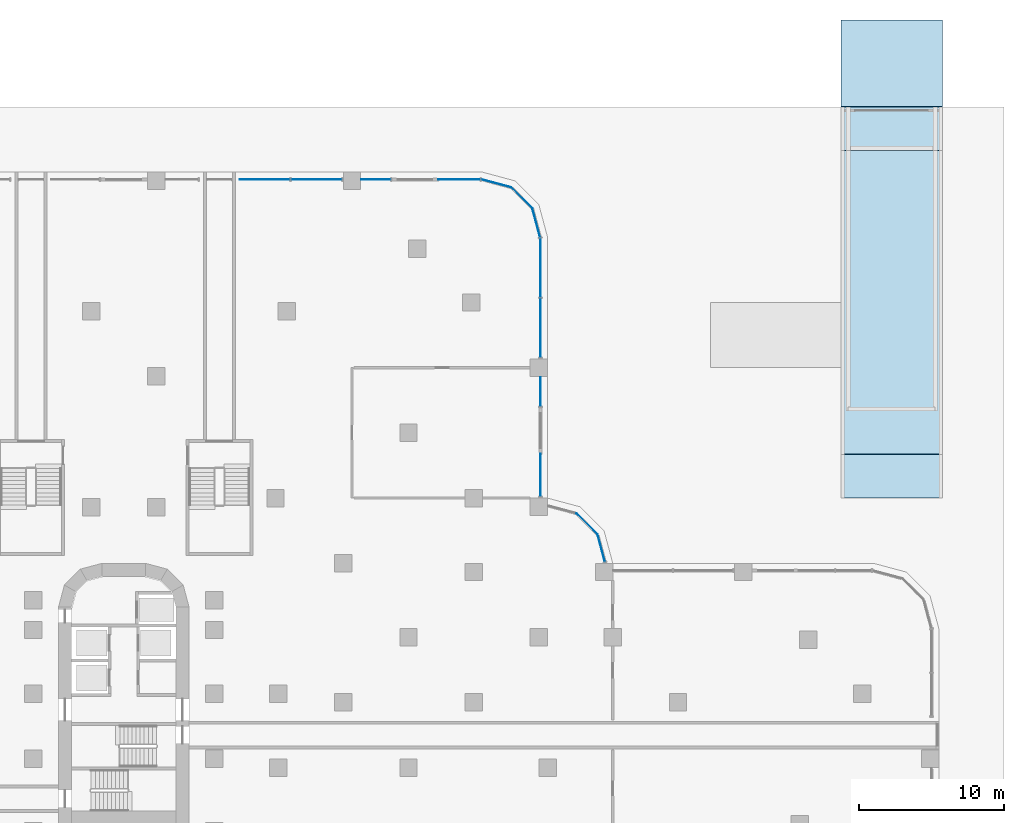
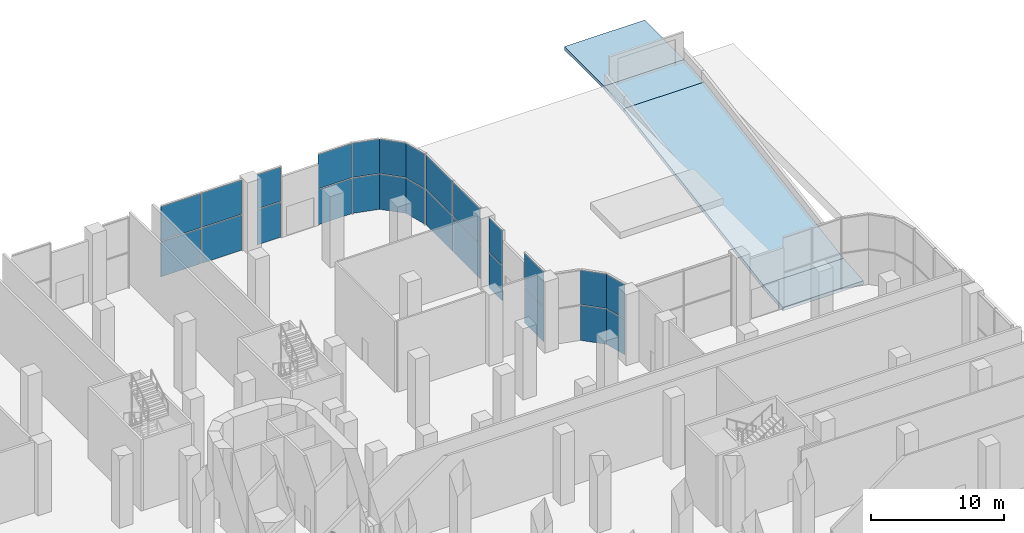
# One storey, part 19 of 34: 26 plates, 4 slabs, 7 elements without a shape of their own.
"""IFC4 building model written with IfcOpenShell, lengths in metres."""

import ifcopenshell
import ifcopenshell.guid

model = None  # the IFC model being written
_history = None  # IfcOwnerHistory: only IFC2X3 demands one
_inside = {}  # id of a spatial element -> (the spatial element, [elements in it])
_under = {}  # id of a project, library or spatial element -> (it, [spatial elements below it])
_declared = {}  # id of a project -> (the project, [libraries it declares])
_typed = {}  # id of a type object -> (the type object, [elements of that type])
_made_of = {}  # id of a material, layer set ... -> (it, [elements and type objects made of it])


def new_model(schema):
    """Start an empty IFC model of exactly this schema.

    Asked for "IFC4X3", IfcOpenShell would pick the latest addendum, in which some entities
    have other attributes; the version numbers below select the first issue.
    IFC2X3 requires an IfcOwnerHistory on every rooted entity: one is made here for all.
    """
    global model, _history
    if schema == "IFC4X3":
        model = ifcopenshell.file(schema_version=(4, 3, 0, 0))
    else:
        model = ifcopenshell.file(schema=schema)
    _inside.clear()
    _under.clear()
    _declared.clear()
    _typed.clear()
    _made_of.clear()
    _history = None
    if model.schema == "IFC2X3":
        org = make("IfcOrganization", Name="unknown")
        user = make(
            "IfcPersonAndOrganization",
            ThePerson=make("IfcPerson", FamilyName="unknown"),
            TheOrganization=org,
        )
        app = make(
            "IfcApplication",
            ApplicationDeveloper=org,
            Version="unknown",
            ApplicationFullName="unknown",
            ApplicationIdentifier="unknown",
        )
        _history = make(
            "IfcOwnerHistory",
            OwningUser=user,
            OwningApplication=app,
            ChangeAction="ADDED",
            CreationDate=0,
        )
    return model


def make(cls, **values):
    """One entity of the class cls with the attributes given. An attribute that is None is left unset."""
    return model.create_entity(
        cls, **{name: value for name, value in values.items() if value is not None}
    )


def rooted(cls, **values):
    """An entity with a GlobalId (a new one), such as an element, a storey or a relation."""
    return make(cls, GlobalId=ifcopenshell.guid.new(), OwnerHistory=_history, **values)


def si_unit(unit_type, name, prefix=None):
    """IfcSIUnit, for example si_unit("LENGTHUNIT", "METRE", prefix="MILLI")."""
    return make("IfcSIUnit", UnitType=unit_type, Prefix=prefix, Name=name)


def assignment(units):
    """IfcUnitAssignment: the units of a project."""
    return None if units is None else make("IfcUnitAssignment", Units=units)


def point(xyz):
    """IfcCartesianPoint."""
    return None if xyz is None else make("IfcCartesianPoint", Coordinates=xyz)


def direction(xyz):
    """IfcDirection."""
    return None if xyz is None else make("IfcDirection", DirectionRatios=xyz)


def frame(location, z_axis=None, x_axis=None):
    """IfcAxis2Placement3D, a coordinate frame: its origin and axes. An axis left out is left unset."""
    return make(
        "IfcAxis2Placement3D",
        Location=point(location),
        Axis=direction(z_axis),
        RefDirection=direction(x_axis),
    )


def origin():
    """The frame at (0, 0, 0) with its axes left unset."""
    return frame((0.0, 0.0, 0.0))


def place(relative_to, where):
    """IfcLocalPlacement: puts the frame where relative to a parent placement (None: the world)."""
    return make(
        "IfcLocalPlacement", PlacementRelTo=relative_to, RelativePlacement=where
    )


def context(
    kind, dimensions, precision=None, world=None, true_north=None, identifier=None
):
    """IfcGeometricRepresentationContext, for example the 3D "Model" context."""
    return make(
        "IfcGeometricRepresentationContext",
        ContextIdentifier=identifier,
        ContextType=kind,
        CoordinateSpaceDimension=dimensions,
        Precision=precision,
        WorldCoordinateSystem=world,
        TrueNorth=true_north,
    )


def subcontext(parent, identifier, kind, view, scale=None):
    """IfcGeometricRepresentationSubContext, for example "Body" below "Model"."""
    return make(
        "IfcGeometricRepresentationSubContext",
        ContextIdentifier=identifier,
        ContextType=kind,
        ParentContext=parent,
        TargetScale=scale,
        TargetView=view,
    )


def project(units=None, contexts=None):
    """IfcProject with its units and contexts."""
    return rooted(
        "IfcProject",
        Name="project",
        RepresentationContexts=contexts,
        UnitsInContext=assignment(units),
    )


def spatial(cls, under=None, at=None, **own):
    """A site, building, storey or space (cls), placed at a placement, below another one or the project."""
    s = rooted(cls, ObjectPlacement=at, **own)
    if under is not None:
        _under.setdefault(under.id(), (under, []))[1].append(s)
    return s


def polyline(points):
    """IfcPolyline through the points."""
    return make("IfcPolyline", Points=[point(p) for p in points])


def outline(outer, holes=None, kind="AREA"):
    """IfcArbitraryClosedProfileDef: a profile drawn as a closed curve; with holes, ...WithVoids."""
    if holes is None:
        return make("IfcArbitraryClosedProfileDef", ProfileType=kind, OuterCurve=outer)
    return make(
        "IfcArbitraryProfileDefWithVoids",
        ProfileType=kind,
        OuterCurve=outer,
        InnerCurves=holes,
    )


def extrude(swept, where, along, depth):
    """IfcExtrudedAreaSolid: the profile swept, set in the frame where, extruded along a direction by depth."""
    return make(
        "IfcExtrudedAreaSolid",
        SweptArea=swept,
        Position=where,
        ExtrudedDirection=direction(along),
        Depth=depth,
    )


def shape(context_of_items, identifier, shape_type, items):
    """IfcShapeRepresentation: the items that make up one representation, for example the "Body"."""
    return make(
        "IfcShapeRepresentation",
        ContextOfItems=context_of_items,
        RepresentationIdentifier=identifier,
        RepresentationType=shape_type,
        Items=items,
    )


def source(mapping_origin, context_of_items, identifier, shape_type, items):
    """IfcRepresentationMap: a shape defined once, which mapped items show again and again."""
    return make(
        "IfcRepresentationMap",
        MappingOrigin=mapping_origin,
        MappedRepresentation=shape(context_of_items, identifier, shape_type, items),
    )


def transform(
    local_origin,
    x_axis=None,
    y_axis=None,
    z_axis=None,
    scale=None,
    scale2=None,
    scale3=None,
    uniform=True,
):
    """IfcCartesianTransformationOperator3D, or its non-uniform kind. x_axis, y_axis, z_axis: its Axis1, 2, 3."""
    if uniform:
        return make(
            "IfcCartesianTransformationOperator3D",
            Axis1=direction(x_axis),
            Axis2=direction(y_axis),
            LocalOrigin=point(local_origin),
            Scale=scale,
            Axis3=direction(z_axis),
        )
    return make(
        "IfcCartesianTransformationOperator3DnonUniform",
        Axis1=direction(x_axis),
        Axis2=direction(y_axis),
        LocalOrigin=point(local_origin),
        Scale=scale,
        Axis3=direction(z_axis),
        Scale2=scale2,
        Scale3=scale3,
    )


def mapped(mapping_source, mapping_target):
    """IfcMappedItem: shows the shape of a source again, moved by a transform."""
    return make(
        "IfcMappedItem", MappingSource=mapping_source, MappingTarget=mapping_target
    )


def material(Name=None, Category=None):
    """IfcMaterial."""
    return make("IfcMaterial", Name=Name, Category=Category)


def layer(
    of_material, thickness, ventilated=None, Name=None, Category=None, Priority=None
):
    """IfcMaterialLayer: one layer of a wall or slab, of a material (None: an air gap)."""
    return make(
        "IfcMaterialLayer",
        Material=of_material,
        LayerThickness=thickness,
        IsVentilated=ventilated,
        Name=Name,
        Category=Category,
        Priority=Priority,
    )


def layer_set(layers, Name=None):
    """IfcMaterialLayerSet."""
    return make("IfcMaterialLayerSet", MaterialLayers=layers, LayerSetName=Name)


def made_of(thing, what):
    """Note that an element or type object is made of a material, layer set ...; save() writes the relation."""
    if what is not None:
        _made_of.setdefault(what.id(), (what, []))[1].append(thing)
    return thing


def type_object(cls, material=None, **own):
    """A type object (cls), such as IfcWallType, which elements share."""
    return made_of(rooted(cls, **own), material)


def element(
    cls,
    number,
    at=None,
    inside=None,
    cuts=None,
    type_object=None,
    material=None,
    context=None,
    identifier="Body",
    shape_type=None,
    held_by="IfcProductDefinitionShape",
    body=None,
    shapes=None,
    **own,
):
    """One element of the class cls, such as IfcWall. Its Tag is "e" and its number.

    at: its placement. inside: the storey or other place that contains it. cuts: it is an
    opening in that element (IfcRelVoidsElement). A single representation is given by context,
    identifier, shape_type and body (its items); several are given by shapes. held_by: the class
    of the entity that holds the representations. save() writes the other relations.
    """
    e = rooted(cls, Tag="e%d" % number, ObjectPlacement=at, **own)
    if body is not None:
        shapes = [shape(context, identifier, shape_type, body)]
    if shapes is not None:
        e.Representation = make(held_by, Representations=shapes)
    if inside is not None:
        _inside.setdefault(inside.id(), (inside, []))[1].append(e)
    if cuts is not None:
        rooted(
            "IfcRelVoidsElement", RelatingBuildingElement=cuts, RelatedOpeningElement=e
        )
    if type_object is not None:
        _typed.setdefault(type_object.id(), (type_object, []))[1].append(e)
    return made_of(e, material)


def aggregate(whole, parts):
    """IfcRelAggregates: a whole, such as a stair, and the parts it consists of."""
    return rooted("IfcRelAggregates", RelatingObject=whole, RelatedObjects=parts)


def save(model, path):
    """Write the relations noted so far, then the file.

    IfcRelAggregates (storeys below a building ...), IfcRelContainedInSpatialStructure (elements
    in a storey), IfcRelDefinesByType, IfcRelAssociatesMaterial and IfcRelDeclares: one each for
    every whole, place, type object, material and project.
    """
    for whole, parts in _under.values():
        aggregate(whole, parts)
    for where, things in _inside.values():
        rooted(
            "IfcRelContainedInSpatialStructure",
            RelatedElements=things,
            RelatingStructure=where,
        )
    for kind, things in _typed.values():
        rooted("IfcRelDefinesByType", RelatedObjects=things, RelatingType=kind)
    for what, things in _made_of.values():
        rooted("IfcRelAssociatesMaterial", RelatedObjects=things, RelatingMaterial=what)
    for by, libraries in _declared.values():
        rooted("IfcRelDeclares", RelatingContext=by, RelatedDefinitions=libraries)
    model.write(path)


model = new_model("IFC4")

# Units and contexts
model_context = context("Model", 3, precision=1e-05, world=origin(), true_north=direction((0.0, 1.0)))
body_context = subcontext(model_context, "Body", "Model", "MODEL_VIEW")
ifc_project = project(units=[si_unit("LENGTHUNIT", "METRE"), si_unit("AREAUNIT", "SQUARE_METRE"), si_unit("VOLUMEUNIT", "CUBIC_METRE"), si_unit("PLANEANGLEUNIT", "RADIAN"), si_unit("MASSUNIT", "GRAM", prefix="KILO")], contexts=[model_context])

# Site, building, storey
site_placement = place(None, origin())
site = spatial("IfcSite", under=ifc_project, at=site_placement, CompositionType="ELEMENT")
building_placement = place(site_placement, origin())
building = spatial("IfcBuilding", under=site, at=building_placement, Name="Zarbagh Exchange Tower", CompositionType="ELEMENT")
storey_placement = place(building_placement, origin())
storey = spatial("IfcBuildingStorey", under=building, at=storey_placement, Name="L00", CompositionType="ELEMENT", Elevation=0.0)

# Slabs
ifc_material_1 = material(Name="Concrete C40/50", Category="concrete")
ifc_layer_1 = layer(ifc_material_1, 0.300048828125)
ifc_layer_set_1 = layer_set([ifc_layer_1], Name="Vehicle apron slab 300 C40/50")
slab_type_1 = type_object("IfcSlabType", Name="Vehicle apron slab 300 C40/50", PredefinedType="USERDEFINED", material=ifc_layer_set_1)
slab_1_placement = place(storey_placement, frame((0.0, 0.0, -0.300048828125)))
element("IfcSlab", 1, at=slab_1_placement, inside=storey, type_object=slab_type_1, Name="Vehicle apron at the ramp gate", ObjectType="PAVING", PredefinedType="USERDEFINED", context=body_context, shape_type="SweptSolid", body=[
    extrude(outline(polyline([(49.5, 60.75), (56.5, 60.75), (56.5, 66.75), (49.5, 66.75), (49.5, 60.75)])), origin(), (0.0, 0.0, 1.0), 0.300048828125),
])
ifc_layer_2 = layer(ifc_material_1, 0.35009765625)
ifc_layer_set_2 = layer_set([ifc_layer_2], Name="Vehicle ramp slab 350 C40/50")
slab_type_2 = type_object("IfcSlabType", Name="Vehicle ramp slab 350 C40/50", PredefinedType="USERDEFINED", material=ifc_layer_set_2)
slab_2_placement = place(storey_placement, frame((49.5, 57.75, -0.25), z_axis=(0.0, -0.083045479854, 0.996545758245), x_axis=(1.0, 0.0, 0.0)))
element("IfcSlab", 2, at=slab_2_placement, inside=storey, type_object=slab_type_2, Name="Vehicle ramp R1 part 1", ObjectType="Vehicle ramp slab", PredefinedType="USERDEFINED", context=body_context, shape_type="SweptSolid", body=[
    extrude(outline(polyline([(0.0, 0.0), (7.0, 0.0), (7.0, 3.010398644698074), (0.0, 3.010398644698074), (0.0, 0.0)])), origin(), (0.0, 0.0, -1.0), 0.35009765625),
])
slab_3_placement = place(storey_placement, frame((49.5, 36.75, -3.75), z_axis=(0.0, -0.164398987305, 0.986393923832), x_axis=(1.0, 0.0, 0.0)))
element("IfcSlab", 3, at=slab_3_placement, inside=storey, type_object=slab_type_2, Name="Vehicle ramp R1 part 2", ObjectType="Vehicle ramp slab", PredefinedType="USERDEFINED", context=body_context, shape_type="SweptSolid", body=[
    extrude(outline(polyline([(0.0, 0.0), (7.0, 0.0), (7.0, 21.289668856043768), (0.0, 21.289668856043768), (0.0, 0.0)])), origin(), (0.0, 0.0, -1.0), 0.35009765625),
])
slab_4_placement = place(storey_placement, frame((49.5, 33.75, -4.0), z_axis=(0.0, -0.083045479854, 0.996545758245), x_axis=(1.0, 0.0, 0.0)))
element("IfcSlab", 4, at=slab_4_placement, inside=storey, type_object=slab_type_2, Name="Vehicle ramp R1 part 3", ObjectType="Vehicle ramp slab", PredefinedType="USERDEFINED", context=body_context, shape_type="SweptSolid", body=[
    extrude(outline(polyline([(0.0, 0.0), (7.0, 0.0), (7.0, 3.010398644698074), (0.0, 3.010398644698074), (0.0, 0.0)])), origin(), (0.0, 0.0, -1.0), 0.35009765625),
])

# Curtain wall, plate
ifc_material_2 = material(Name="Anodised aluminium frame and glazing", Category="aluminium")
curtain_wall_type = type_object("IfcCurtainWallType", Name="CWC Podium garden-wall glazing", PredefinedType="NOTDEFINED", material=ifc_material_2)
curtain_wall_1_placement = place(storey_placement, origin())
curtain_wall_1 = element("IfcCurtainWall", 5, at=curtain_wall_1_placement, inside=storey, type_object=curtain_wall_type, Name="CWC21 curtain wall", PredefinedType="NOTDEFINED")
ifc_material_3 = material(Name="Low-e double glazed unit, 6+12+6 mm")
ifc_layer_3 = layer(ifc_material_3, 0.031982421875)
ifc_layer_set_3 = layer_set([ifc_layer_3], Name="PAC Glazing panel, Low-e double glazed unit, 6+12+6 mm")
plate_type = type_object("IfcPlateType", Name="PAC Glazing panel, Low-e double glazed unit, 6+12+6 mm", PredefinedType="CURTAIN_PANEL", material=ifc_layer_set_3)
shared_shape_1 = source(origin(), body_context, "Body", "SweptSolid", [
    extrude(outline(polyline([(0.0, -0.01611328125), (2.030029296875, -0.01611328125), (2.030029296875, 0.01611328125), (0.0, 0.01611328125), (0.0, -0.01611328125)])), origin(), (0.0, 0.0, 1.0), 3.235107421875),
])
placement = place(storey_placement, origin())
plate_1 = element("IfcPlate", 6, at=placement, type_object=plate_type, Name="CWC21 glazing panel 2.1", PredefinedType="CURTAIN_PANEL", context=body_context, shape_type="MappedRepresentation", body=[
    mapped(shared_shape_1, transform((28.75, 40.080078125, 0.0), x_axis=(0.0, 1.0, 0.0), y_axis=(-1.0, 0.0, 0.0), z_axis=(0.0, 0.0, 1.0))),
])

curtain_wall_2_placement = place(storey_placement, origin())
curtain_wall_2 = element("IfcCurtainWall", 7, at=curtain_wall_2_placement, inside=storey, type_object=curtain_wall_type, Name="CWC25 curtain wall", PredefinedType="NOTDEFINED")
plate_2 = element("IfcPlate", 8, at=placement, type_object=plate_type, Name="CWC25 glazing panel 2.1", PredefinedType="CURTAIN_PANEL", context=body_context, shape_type="MappedRepresentation", body=[
    mapped(shared_shape_1, transform((18.419921875, 55.75, 0.0), x_axis=(-1.0, 0.0, 0.0), y_axis=(0.0, -1.0, 0.0), z_axis=(0.0, 0.0, 1.0))),
])

# Plate
shared_shape_2 = source(origin(), body_context, "Body", "SweptSolid", [
    extrude(outline(polyline([(0.0, -0.01611328125), (2.030029296875, -0.01611328125), (2.030029296875, 0.01611328125), (0.0, 0.01611328125), (0.0, -0.01611328125)])), origin(), (0.0, 0.0, 1.0), 3.155029296875),
])
plate_3 = element("IfcPlate", 9, at=placement, type_object=plate_type, Name="CWC21 glazing panel 2.1", PredefinedType="CURTAIN_PANEL", context=body_context, shape_type="MappedRepresentation", body=[
    mapped(shared_shape_2, transform((28.75, 40.080078125, 3.31494140625), x_axis=(0.0, 1.0, 0.0), y_axis=(-1.0, 0.0, 0.0), z_axis=(0.0, 0.0, 1.0))),
])

plate_4 = element("IfcPlate", 10, at=placement, type_object=plate_type, Name="CWC25 glazing panel 2.1", PredefinedType="CURTAIN_PANEL", context=body_context, shape_type="MappedRepresentation", body=[
    mapped(shared_shape_2, transform((18.419921875, 55.75, 3.31494140625), x_axis=(-1.0, 0.0, 0.0), y_axis=(0.0, -1.0, 0.0), z_axis=(0.0, 0.0, 1.0))),
])

# Curtain wall, plates
curtain_wall_3_placement = place(storey_placement, origin())
curtain_wall_3 = element("IfcCurtainWall", 11, at=curtain_wall_3_placement, inside=storey, type_object=curtain_wall_type, Name="CWC22 curtain wall", PredefinedType="NOTDEFINED")
shared_shape_3 = source(origin(), body_context, "Body", "SweptSolid", [
    extrude(outline(polyline([(0.0, -0.01611328125), (2.049560546875, -0.01611328125), (2.049560546875, 0.01611328125), (0.0, 0.01611328125), (0.0, -0.01611328125)])), origin(), (0.0, 0.0, 1.0), 3.235107421875),
])
plate_5 = element("IfcPlate", 12, at=placement, type_object=plate_type, Name="CWC22 glazing panel 1.1", PredefinedType="CURTAIN_PANEL", context=body_context, shape_type="MappedRepresentation", body=[
    mapped(shared_shape_3, transform((28.729248046875, 51.761474609375, 0.0), x_axis=(-0.258824779902, 0.965924289636, 0.0), y_axis=(-0.965924289636, -0.258824779902, 0.0), z_axis=(0.0, 0.0, 1.0))),
])
shared_shape_4 = source(origin(), body_context, "Body", "SweptSolid", [
    extrude(outline(polyline([(0.0, -0.01611328125), (2.049560546875, -0.01611328125), (2.049560546875, 0.01611328125), (0.0, 0.01611328125), (0.0, -0.01611328125)])), origin(), (0.0, 0.0, 1.0), 3.155029296875),
])
plate_6 = element("IfcPlate", 13, at=placement, type_object=plate_type, Name="CWC22 glazing panel 1.1", PredefinedType="CURTAIN_PANEL", context=body_context, shape_type="MappedRepresentation", body=[
    mapped(shared_shape_4, transform((28.729248046875, 51.761474609375, 3.31494140625), x_axis=(-0.258824779902, 0.965924289636, 0.0), y_axis=(-0.965924289636, -0.258824779902, 0.0), z_axis=(0.0, 0.0, 1.0))),
])
aggregate(curtain_wall_3, [plate_5, plate_6])

# Curtain wall, plate
curtain_wall_4_placement = place(storey_placement, origin())
curtain_wall_4 = element("IfcCurtainWall", 14, at=curtain_wall_4_placement, inside=storey, type_object=curtain_wall_type, Name="CWC19 curtain wall", PredefinedType="NOTDEFINED")
shared_shape_5 = source(origin(), body_context, "Body", "SweptSolid", [
    extrude(outline(polyline([(0.0, -0.01611328125), (2.061279296875, -0.01611328125), (2.061279296875, 0.01611328125), (0.0, 0.01611328125), (0.0, -0.01611328125)])), origin(), (0.0, 0.0, 1.0), 3.235107421875),
])
plate_7 = element("IfcPlate", 15, at=placement, type_object=plate_type, Name="CWC19 glazing panel 1.1", PredefinedType="CURTAIN_PANEL", context=body_context, shape_type="MappedRepresentation", body=[
    mapped(shared_shape_5, transform((32.69873046875, 31.2412109375, 0.0), x_axis=(-0.707106781187, 0.707106781187, 0.0), y_axis=(-0.707106781187, -0.707106781187, 0.0), z_axis=(0.0, 0.0, 1.0))),
])

curtain_wall_5_placement = place(storey_placement, origin())
curtain_wall_5 = element("IfcCurtainWall", 16, at=curtain_wall_5_placement, inside=storey, type_object=curtain_wall_type, Name="CWC23 curtain wall", PredefinedType="NOTDEFINED")
plate_8 = element("IfcPlate", 17, at=placement, type_object=plate_type, Name="CWC23 glazing panel 1.1", PredefinedType="CURTAIN_PANEL", context=body_context, shape_type="MappedRepresentation", body=[
    mapped(shared_shape_5, transform((28.19873046875, 53.7412109375, 0.0), x_axis=(-0.707106781187, 0.707106781187, 0.0), y_axis=(-0.707106781187, -0.707106781187, 0.0), z_axis=(0.0, 0.0, 1.0))),
])

# Plate
shared_shape_6 = source(origin(), body_context, "Body", "SweptSolid", [
    extrude(outline(polyline([(0.0, -0.01611328125), (2.061279296875, -0.01611328125), (2.061279296875, 0.01611328125), (0.0, 0.01611328125), (0.0, -0.01611328125)])), origin(), (0.0, 0.0, 1.0), 3.155029296875),
])
plate_9 = element("IfcPlate", 18, at=placement, type_object=plate_type, Name="CWC19 glazing panel 1.1", PredefinedType="CURTAIN_PANEL", context=body_context, shape_type="MappedRepresentation", body=[
    mapped(shared_shape_6, transform((32.69873046875, 31.2412109375, 3.31494140625), x_axis=(-0.707106781187, 0.707106781187, 0.0), y_axis=(-0.707106781187, -0.707106781187, 0.0), z_axis=(0.0, 0.0, 1.0))),
])

aggregate(curtain_wall_4, [plate_7, plate_9])

plate_10 = element("IfcPlate", 19, at=placement, type_object=plate_type, Name="CWC23 glazing panel 1.1", PredefinedType="CURTAIN_PANEL", context=body_context, shape_type="MappedRepresentation", body=[
    mapped(shared_shape_6, transform((28.19873046875, 53.7412109375, 3.31494140625), x_axis=(-0.707106781187, 0.707106781187, 0.0), y_axis=(-0.707106781187, -0.707106781187, 0.0), z_axis=(0.0, 0.0, 1.0))),
])

aggregate(curtain_wall_5, [plate_8, plate_10])

# Curtain wall, plates
curtain_wall_6_placement = place(storey_placement, origin())
curtain_wall_6 = element("IfcCurtainWall", 20, at=curtain_wall_6_placement, inside=storey, type_object=curtain_wall_type, Name="CWC18 curtain wall", PredefinedType="NOTDEFINED")
shared_shape_7 = source(origin(), body_context, "Body", "SweptSolid", [
    extrude(outline(polyline([(0.0, -0.01611328125), (1.93994140625, -0.01611328125), (1.93994140625, 0.01611328125), (0.0, 0.01611328125), (0.0, -0.01611328125)])), origin(), (0.0, 0.0, 1.0), 3.235107421875),
])
plate_11 = element("IfcPlate", 21, at=placement, type_object=plate_type, Name="CWC18 glazing panel 1.1", PredefinedType="CURTAIN_PANEL", context=body_context, shape_type="MappedRepresentation", body=[
    mapped(shared_shape_7, transform((33.200927734375, 29.367431640625, 0.0), x_axis=(-0.258824779902, 0.965924289636, 0.0), y_axis=(-0.965924289636, -0.258824779902, 0.0), z_axis=(0.0, 0.0, 1.0))),
])
shared_shape_8 = source(origin(), body_context, "Body", "SweptSolid", [
    extrude(outline(polyline([(0.0, -0.01611328125), (1.93994140625, -0.01611328125), (1.93994140625, 0.01611328125), (0.0, 0.01611328125), (0.0, -0.01611328125)])), origin(), (0.0, 0.0, 1.0), 3.155029296875),
])
plate_12 = element("IfcPlate", 22, at=placement, type_object=plate_type, Name="CWC18 glazing panel 1.1", PredefinedType="CURTAIN_PANEL", context=body_context, shape_type="MappedRepresentation", body=[
    mapped(shared_shape_8, transform((33.200927734375, 29.367431640625, 3.31494140625), x_axis=(-0.258824779902, 0.965924289636, 0.0), y_axis=(-0.965924289636, -0.258824779902, 0.0), z_axis=(0.0, 0.0, 1.0))),
])
aggregate(curtain_wall_6, [plate_11, plate_12])

curtain_wall_7_placement = place(storey_placement, origin())
curtain_wall_7 = element("IfcCurtainWall", 23, at=curtain_wall_7_placement, inside=storey, type_object=curtain_wall_type, Name="CWC24 curtain wall", PredefinedType="NOTDEFINED")
shared_shape_9 = source(origin(), body_context, "Body", "SweptSolid", [
    extrude(outline(polyline([(0.0, -0.01611328125), (2.129638671875, -0.01611328125), (2.129638671875, 0.01611328125), (0.0, 0.01611328125), (0.0, -0.01611328125)])), origin(), (0.0, 0.0, 1.0), 3.235107421875),
])
plate_13 = element("IfcPlate", 24, at=placement, type_object=plate_type, Name="CWC24 glazing panel 1.1", PredefinedType="CURTAIN_PANEL", context=body_context, shape_type="MappedRepresentation", body=[
    mapped(shared_shape_9, transform((26.7412109375, 55.19873046875, 0.0), x_axis=(-0.965924289636, 0.258824779902, 0.0), y_axis=(-0.258824779902, -0.965924289636, 0.0), z_axis=(0.0, 0.0, 1.0))),
])
shared_shape_10 = source(origin(), body_context, "Body", "SweptSolid", [
    extrude(outline(polyline([(0.0, -0.01611328125), (2.129638671875, -0.01611328125), (2.129638671875, 0.01611328125), (0.0, 0.01611328125), (0.0, -0.01611328125)])), origin(), (0.0, 0.0, 1.0), 3.155029296875),
])
plate_14 = element("IfcPlate", 25, at=placement, type_object=plate_type, Name="CWC24 glazing panel 1.1", PredefinedType="CURTAIN_PANEL", context=body_context, shape_type="MappedRepresentation", body=[
    mapped(shared_shape_10, transform((26.7412109375, 55.19873046875, 3.31494140625), x_axis=(-0.965924289636, 0.258824779902, 0.0), y_axis=(-0.258824779902, -0.965924289636, 0.0), z_axis=(0.0, 0.0, 1.0))),
])
aggregate(curtain_wall_7, [plate_13, plate_14])

# Plate
shared_shape_11 = source(origin(), body_context, "Body", "SweptSolid", [
    extrude(outline(polyline([(0.0, -0.01611328125), (2.929931640625, -0.01611328125), (2.929931640625, 0.01611328125), (0.0, 0.01611328125), (0.0, -0.01611328125)])), origin(), (0.0, 0.0, 1.0), 3.235107421875),
])
plate_15 = element("IfcPlate", 26, at=placement, type_object=plate_type, Name="CWC21 glazing panel 1.1", PredefinedType="CURTAIN_PANEL", context=body_context, shape_type="MappedRepresentation", body=[
    mapped(shared_shape_11, transform((28.75, 33.8701171875, 0.0), x_axis=(0.0, 1.0, 0.0), y_axis=(-1.0, 0.0, 0.0), z_axis=(0.0, 0.0, 1.0))),
])

shared_shape_12 = source(origin(), body_context, "Body", "SweptSolid", [
    extrude(outline(polyline([(0.0, -0.01611328125), (2.929931640625, -0.01611328125), (2.929931640625, 0.01611328125), (0.0, 0.01611328125), (0.0, -0.01611328125)])), origin(), (0.0, 0.0, 1.0), 3.155029296875),
])
plate_16 = element("IfcPlate", 27, at=placement, type_object=plate_type, Name="CWC21 glazing panel 1.1", PredefinedType="CURTAIN_PANEL", context=body_context, shape_type="MappedRepresentation", body=[
    mapped(shared_shape_12, transform((28.75, 33.8701171875, 3.31494140625), x_axis=(0.0, 1.0, 0.0), y_axis=(-1.0, 0.0, 0.0), z_axis=(0.0, 0.0, 1.0))),
])

shared_shape_13 = source(origin(), body_context, "Body", "SweptSolid", [
    extrude(outline(polyline([(0.0, -0.01611328125), (4.067138671875, -0.01611328125), (4.067138671875, 0.01611328125), (0.0, 0.01611328125), (0.0, -0.01611328125)])), origin(), (0.0, 0.0, 1.0), 3.235107421875),
])
plate_17 = element("IfcPlate", 28, at=placement, type_object=plate_type, Name="CWC21 glazing panel 3.1", PredefinedType="CURTAIN_PANEL", context=body_context, shape_type="MappedRepresentation", body=[
    mapped(shared_shape_13, transform((28.75, 43.469970703125, 0.0), x_axis=(0.0, 1.0, 0.0), y_axis=(-1.0, 0.0, 0.0), z_axis=(0.0, 0.0, 1.0))),
])

plate_18 = element("IfcPlate", 29, at=placement, type_object=plate_type, Name="CWC21 glazing panel 3.2", PredefinedType="CURTAIN_PANEL", context=body_context, shape_type="MappedRepresentation", body=[
    mapped(shared_shape_13, transform((28.75, 47.6171875, 0.0), x_axis=(0.0, 1.0, 0.0), y_axis=(-1.0, 0.0, 0.0), z_axis=(0.0, 0.0, 1.0))),
])

shared_shape_14 = source(origin(), body_context, "Body", "SweptSolid", [
    extrude(outline(polyline([(0.0, -0.01611328125), (4.067138671875, -0.01611328125), (4.067138671875, 0.01611328125), (0.0, 0.01611328125), (0.0, -0.01611328125)])), origin(), (0.0, 0.0, 1.0), 3.155029296875),
])
plate_19 = element("IfcPlate", 30, at=placement, type_object=plate_type, Name="CWC21 glazing panel 3.1", PredefinedType="CURTAIN_PANEL", context=body_context, shape_type="MappedRepresentation", body=[
    mapped(shared_shape_14, transform((28.75, 43.469970703125, 3.31494140625), x_axis=(0.0, 1.0, 0.0), y_axis=(-1.0, 0.0, 0.0), z_axis=(0.0, 0.0, 1.0))),
])

plate_20 = element("IfcPlate", 31, at=placement, type_object=plate_type, Name="CWC21 glazing panel 3.2", PredefinedType="CURTAIN_PANEL", context=body_context, shape_type="MappedRepresentation", body=[
    mapped(shared_shape_14, transform((28.75, 47.6171875, 3.31494140625), x_axis=(0.0, 1.0, 0.0), y_axis=(-1.0, 0.0, 0.0), z_axis=(0.0, 0.0, 1.0))),
])

aggregate(curtain_wall_1, [plate_15, plate_16, plate_1, plate_3, plate_17, plate_19, plate_18, plate_20])

shared_shape_15 = source(origin(), body_context, "Body", "SweptSolid", [
    extrude(outline(polyline([(0.0, -0.01611328125), (2.904052734375, -0.01611328125), (2.904052734375, 0.01611328125), (0.0, 0.01611328125), (0.0, -0.01611328125)])), origin(), (0.0, 0.0, 1.0), 3.235107421875),
])
plate_21 = element("IfcPlate", 32, at=placement, type_object=plate_type, Name="CWC25 glazing panel 1.1", PredefinedType="CURTAIN_PANEL", context=body_context, shape_type="MappedRepresentation", body=[
    mapped(shared_shape_15, transform((24.604248046875, 55.75, 0.0), x_axis=(-1.0, 0.0, 0.0), y_axis=(0.0, -1.0, 0.0), z_axis=(0.0, 0.0, 1.0))),
])

shared_shape_16 = source(origin(), body_context, "Body", "SweptSolid", [
    extrude(outline(polyline([(0.0, -0.01611328125), (2.904052734375, -0.01611328125), (2.904052734375, 0.01611328125), (0.0, 0.01611328125), (0.0, -0.01611328125)])), origin(), (0.0, 0.0, 1.0), 3.155029296875),
])
plate_22 = element("IfcPlate", 33, at=placement, type_object=plate_type, Name="CWC25 glazing panel 1.1", PredefinedType="CURTAIN_PANEL", context=body_context, shape_type="MappedRepresentation", body=[
    mapped(shared_shape_16, transform((24.604248046875, 55.75, 3.31494140625), x_axis=(-1.0, 0.0, 0.0), y_axis=(0.0, -1.0, 0.0), z_axis=(0.0, 0.0, 1.0))),
])

shared_shape_17 = source(origin(), body_context, "Body", "SweptSolid", [
    extrude(outline(polyline([(0.0, -0.01611328125), (3.47998046875, -0.01611328125), (3.47998046875, 0.01611328125), (0.0, 0.01611328125), (0.0, -0.01611328125)])), origin(), (0.0, 0.0, 1.0), 3.235107421875),
])
plate_23 = element("IfcPlate", 34, at=placement, type_object=plate_type, Name="CWC25 glazing panel 3.1", PredefinedType="CURTAIN_PANEL", context=body_context, shape_type="MappedRepresentation", body=[
    mapped(shared_shape_17, transform((15.030029296875, 55.75, 0.0), x_axis=(-1.0, 0.0, 0.0), y_axis=(0.0, -1.0, 0.0), z_axis=(0.0, 0.0, 1.0))),
])

plate_24 = element("IfcPlate", 35, at=placement, type_object=plate_type, Name="CWC25 glazing panel 3.2", PredefinedType="CURTAIN_PANEL", context=body_context, shape_type="MappedRepresentation", body=[
    mapped(shared_shape_17, transform((11.469970703125, 55.75, 0.0), x_axis=(-1.0, 0.0, 0.0), y_axis=(0.0, -1.0, 0.0), z_axis=(0.0, 0.0, 1.0))),
])

shared_shape_18 = source(origin(), body_context, "Body", "SweptSolid", [
    extrude(outline(polyline([(0.0, -0.01611328125), (3.47998046875, -0.01611328125), (3.47998046875, 0.01611328125), (0.0, 0.01611328125), (0.0, -0.01611328125)])), origin(), (0.0, 0.0, 1.0), 3.155029296875),
])
plate_25 = element("IfcPlate", 36, at=placement, type_object=plate_type, Name="CWC25 glazing panel 3.1", PredefinedType="CURTAIN_PANEL", context=body_context, shape_type="MappedRepresentation", body=[
    mapped(shared_shape_18, transform((15.030029296875, 55.75, 3.31494140625), x_axis=(-1.0, 0.0, 0.0), y_axis=(0.0, -1.0, 0.0), z_axis=(0.0, 0.0, 1.0))),
])

plate_26 = element("IfcPlate", 37, at=placement, type_object=plate_type, Name="CWC25 glazing panel 3.2", PredefinedType="CURTAIN_PANEL", context=body_context, shape_type="MappedRepresentation", body=[
    mapped(shared_shape_18, transform((11.469970703125, 55.75, 3.31494140625), x_axis=(-1.0, 0.0, 0.0), y_axis=(0.0, -1.0, 0.0), z_axis=(0.0, 0.0, 1.0))),
])

aggregate(curtain_wall_2, [plate_21, plate_22, plate_2, plate_4, plate_23, plate_25, plate_24, plate_26])

save(model, "model.ifc")
